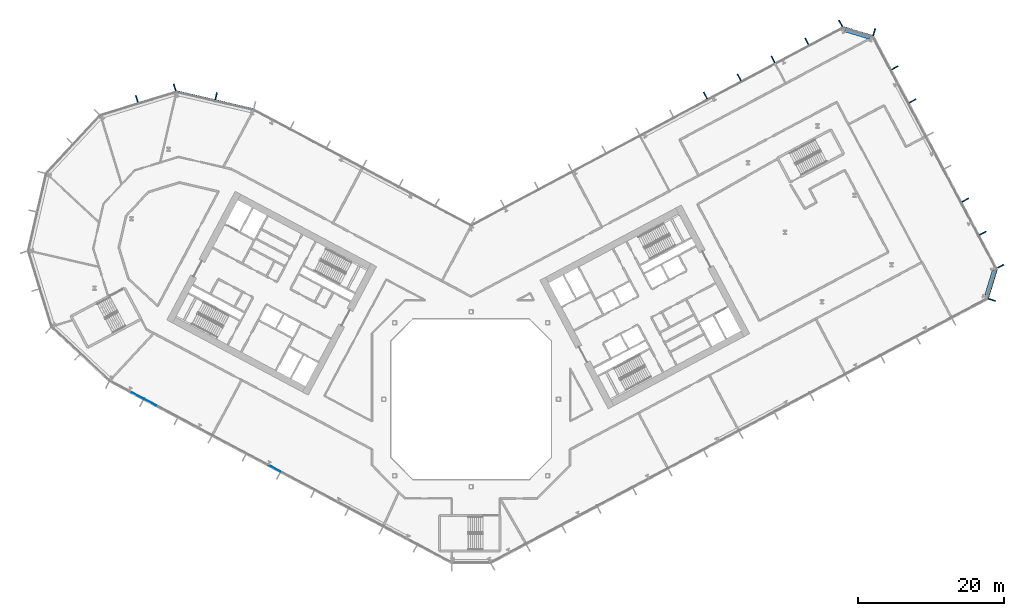
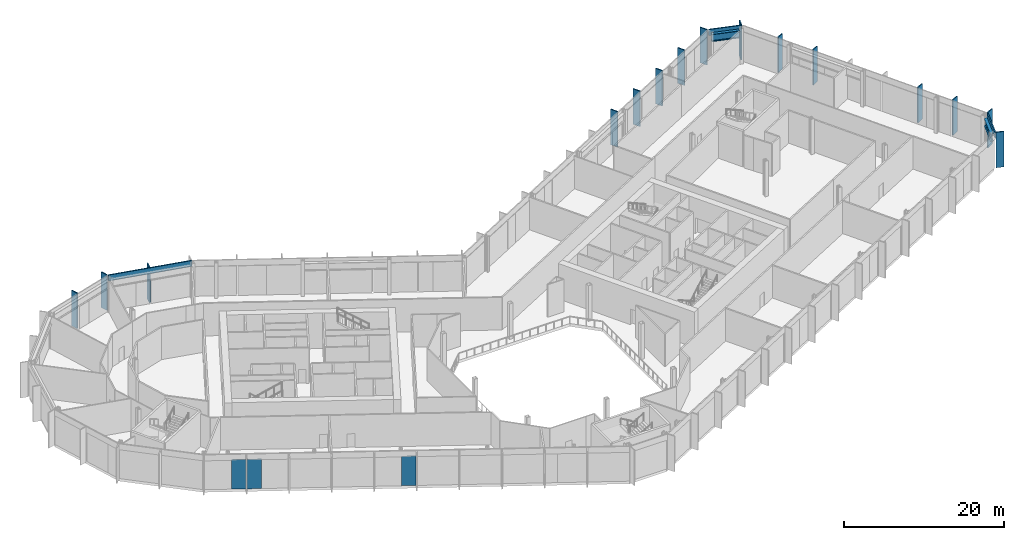
# One storey, part 8 of 30: 18 members, 3 plates, 2 beams, 7 elements without a shape of their own.
"""IFC4 building model written with IfcOpenShell, lengths in metres."""

from ifc_helpers import new_model, si_unit, direction, frame, origin, origin_2d, place, context, subcontext, project, spatial, rectangle, i_section, extrude, material, layer, layer_set, material_profile, profile_set, type_object, element, aggregate, save


model = new_model("IFC4")

# Units and contexts
model_context = context("Model", 3, precision=1e-05, world=origin(), true_north=direction((0.0, 1.0)))
body_context = subcontext(model_context, "Body", "Model", "MODEL_VIEW")
ifc_project = project(units=[si_unit("LENGTHUNIT", "METRE"), si_unit("AREAUNIT", "SQUARE_METRE"), si_unit("VOLUMEUNIT", "CUBIC_METRE"), si_unit("PLANEANGLEUNIT", "RADIAN"), si_unit("MASSUNIT", "GRAM", prefix="KILO")], contexts=[model_context])

# Site, building, storey
site_placement = place(None, origin())
site = spatial("IfcSite", under=ifc_project, at=site_placement, CompositionType="ELEMENT")
building_placement = place(site_placement, origin())
building = spatial("IfcBuilding", under=site, at=building_placement, Name="Cormorant Relay Tower", CompositionType="ELEMENT")
storey_placement = place(building_placement, frame((0.0, 0.0, 55.39990234375)))
storey = spatial("IfcBuildingStorey", under=building, at=storey_placement, Name="L10", CompositionType="ELEMENT", Elevation=55.39990234375)

# Curtain wall, member
ifc_material_1 = material(Name="Aluminium 6063-T6 anodised bronze", Category="aluminium")
ifc_layer_1 = layer(ifc_material_1, 0.235107421875)
ifc_layer_set_1 = layer_set([ifc_layer_1], Name="CW6 data hall curtain wall with mineral wool panels")
curtain_wall_type = type_object("IfcCurtainWallType", Name="CW6 data hall curtain wall with mineral wool panels", PredefinedType="NOTDEFINED", material=ifc_layer_set_1)
curtain_wall_1_placement = place(storey_placement, origin())
curtain_wall_1 = element("IfcCurtainWall", 1, at=curtain_wall_1_placement, inside=storey, type_object=curtain_wall_type, Name="CW6 curtain wall 3", PredefinedType="NOTDEFINED")
ifc_material_2 = material(Name="Aluminium 6063-T6 anodised bronze", Category="aluminium")
ifc_material_profile_1 = material_profile(ifc_material_2, rectangle(XDim=0.14990234375, YDim=1.0, at=origin_2d()), Name="AL 150x1000")
ifc_profile_set_1 = profile_set([ifc_material_profile_1], Name="Aluminium 6063-T6 anodised bronze")
member_type_1 = type_object("IfcMemberType", Name="CW6 bronze fin mullion 150 x 1000", PredefinedType="MULLION", material=ifc_profile_set_1)
member_1_placement = place(storey_placement, frame((71.485107421875, 13.63671875, 0.0), z_axis=(0.0, 0.0, 1.0), x_axis=(0.292371704723, 0.956304755963, 0.0)))
member_1 = element("IfcMember", 2, at=member_1_placement, type_object=member_type_1, Name="CW6 fin 3.1", PredefinedType="MULLION", context=body_context, shape_type="SweptSolid", body=[
    extrude(rectangle(XDim=0.14990234375, YDim=1.0, at=origin_2d()), origin(), (0.0, 0.0, 1.0), 5.400146484375),
])

# Curtain wall, members
curtain_wall_2_placement = place(storey_placement, origin())
curtain_wall_2 = element("IfcCurtainWall", 3, at=curtain_wall_2_placement, inside=storey, type_object=curtain_wall_type, Name="CW6 curtain wall 4", PredefinedType="NOTDEFINED")
member_2_placement = place(storey_placement, frame((72.671630859375, 18.25390625, 0.0), z_axis=(0.0, 0.0, 1.0), x_axis=(-0.469471562786, 0.882947592859, 0.0)))
member_2 = element("IfcMember", 4, at=member_2_placement, type_object=member_type_1, Name="CW6 fin 4.1", PredefinedType="MULLION", context=body_context, shape_type="SweptSolid", body=[
    extrude(rectangle(XDim=0.14990234375, YDim=1.0, at=origin_2d()), origin(), (0.0, 0.0, 1.0), 5.400146484375),
])
member_3_placement = place(storey_placement, frame((70.25732421875, 22.794921875, 0.0), z_axis=(0.0, 0.0, 1.0), x_axis=(-0.469471562786, 0.882947592859, 0.0)))
member_3 = element("IfcMember", 5, at=member_3_placement, type_object=member_type_1, Name="CW6 fin 4.2", PredefinedType="MULLION", context=body_context, shape_type="SweptSolid", body=[
    extrude(rectangle(XDim=0.14990234375, YDim=1.0, at=origin_2d()), origin(), (0.0, 0.0, 1.0), 5.400146484375),
])
member_4_placement = place(storey_placement, frame((67.8427734375, 27.335693359375, 0.0), z_axis=(0.0, 0.0, 1.0), x_axis=(-0.469471562786, 0.882947592859, 0.0)))
member_4 = element("IfcMember", 6, at=member_4_placement, type_object=member_type_1, Name="CW6 fin 4.3", PredefinedType="MULLION", context=body_context, shape_type="SweptSolid", body=[
    extrude(rectangle(XDim=0.14990234375, YDim=1.0, at=origin_2d()), origin(), (0.0, 0.0, 1.0), 5.400146484375),
])
member_5_placement = place(storey_placement, frame((60.599609375, 40.958251953125, 0.0), z_axis=(0.0, 0.0, 1.0), x_axis=(-0.469471562786, 0.882947592859, 0.0)))
member_5 = element("IfcMember", 7, at=member_5_placement, type_object=member_type_1, Name="CW6 fin 4.6", PredefinedType="MULLION", context=body_context, shape_type="SweptSolid", body=[
    extrude(rectangle(XDim=0.14990234375, YDim=1.0, at=origin_2d()), origin(), (0.0, 0.0, 1.0), 5.400146484375),
])
member_6_placement = place(storey_placement, frame((58.18505859375, 45.499267578125, 0.0), z_axis=(0.0, 0.0, 1.0), x_axis=(-0.469471562786, 0.882947592859, 0.0)))
member_6 = element("IfcMember", 8, at=member_6_placement, type_object=member_type_1, Name="CW6 fin 4.7", PredefinedType="MULLION", context=body_context, shape_type="SweptSolid", body=[
    extrude(rectangle(XDim=0.14990234375, YDim=1.0, at=origin_2d()), origin(), (0.0, 0.0, 1.0), 5.400146484375),
])
aggregate(curtain_wall_2, [member_2, member_3, member_4, member_5, member_6])

# Curtain wall, member
curtain_wall_3_placement = place(storey_placement, origin())
curtain_wall_3 = element("IfcCurtainWall", 9, at=curtain_wall_3_placement, inside=storey, type_object=curtain_wall_type, Name="CW6 curtain wall 5", PredefinedType="NOTDEFINED")
member_7_placement = place(storey_placement, frame((55.336669921875, 50.39794921875, 0.0), z_axis=(0.0, 0.0, 1.0), x_axis=(-0.956304755963, 0.292371704723, 0.0)))
member_7 = element("IfcMember", 10, at=member_7_placement, type_object=member_type_1, Name="CW6 fin 5.1", PredefinedType="MULLION", context=body_context, shape_type="SweptSolid", body=[
    extrude(rectangle(XDim=0.14990234375, YDim=1.0, at=origin_2d()), origin(), (0.0, 0.0, 1.0), 5.400146484375),
])

# Curtain wall, members
curtain_wall_4_placement = place(storey_placement, origin())
curtain_wall_4 = element("IfcCurtainWall", 11, at=curtain_wall_4_placement, inside=storey, type_object=curtain_wall_type, Name="CW6 curtain wall 6", PredefinedType="NOTDEFINED")
member_8_placement = place(storey_placement, frame((50.719482421875, 51.58447265625, 0.0), z_axis=(0.0, 0.0, 1.0), x_axis=(-0.882947592859, -0.469471562786, 0.0)))
member_8 = element("IfcMember", 12, at=member_8_placement, type_object=member_type_1, Name="CW6 fin 6.1", PredefinedType="MULLION", context=body_context, shape_type="SweptSolid", body=[
    extrude(rectangle(XDim=0.14990234375, YDim=1.0, at=origin_2d()), origin(), (0.0, 0.0, 1.0), 5.400146484375),
])
member_9_placement = place(storey_placement, frame((46.0771484375, 49.1162109375, 0.0), z_axis=(0.0, 0.0, 1.0), x_axis=(-0.882947592859, -0.469471562786, 0.0)))
member_9 = element("IfcMember", 13, at=member_9_placement, type_object=member_type_1, Name="CW6 fin 6.2", PredefinedType="MULLION", context=body_context, shape_type="SweptSolid", body=[
    extrude(rectangle(XDim=0.14990234375, YDim=1.0, at=origin_2d()), origin(), (0.0, 0.0, 1.0), 5.400146484375),
])
member_10_placement = place(storey_placement, frame((41.43505859375, 46.647705078125, 0.0), z_axis=(0.0, 0.0, 1.0), x_axis=(-0.882947592859, -0.469471562786, 0.0)))
member_10 = element("IfcMember", 14, at=member_10_placement, type_object=member_type_1, Name="CW6 fin 6.3", PredefinedType="MULLION", context=body_context, shape_type="SweptSolid", body=[
    extrude(rectangle(XDim=0.14990234375, YDim=1.0, at=origin_2d()), origin(), (0.0, 0.0, 1.0), 5.400146484375),
])
member_11_placement = place(storey_placement, frame((36.792724609375, 44.179443359375, 0.0), z_axis=(0.0, 0.0, 1.0), x_axis=(-0.882947592859, -0.469471562786, 0.0)))
member_11 = element("IfcMember", 15, at=member_11_placement, type_object=member_type_1, Name="CW6 fin 6.4", PredefinedType="MULLION", context=body_context, shape_type="SweptSolid", body=[
    extrude(rectangle(XDim=0.14990234375, YDim=1.0, at=origin_2d()), origin(), (0.0, 0.0, 1.0), 5.400146484375),
])
member_12_placement = place(storey_placement, frame((32.150390625, 41.711181640625, 0.0), z_axis=(0.0, 0.0, 1.0), x_axis=(-0.882947592859, -0.469471562786, 0.0)))
member_12 = element("IfcMember", 16, at=member_12_placement, type_object=member_type_1, Name="CW6 fin 6.5", PredefinedType="MULLION", context=body_context, shape_type="SweptSolid", body=[
    extrude(rectangle(XDim=0.14990234375, YDim=1.0, at=origin_2d()), origin(), (0.0, 0.0, 1.0), 5.400146484375),
])
aggregate(curtain_wall_4, [member_8, member_9, member_10, member_11, member_12])

# Curtain wall, member
curtain_wall_5_placement = place(storey_placement, origin())
curtain_wall_5 = element("IfcCurtainWall", 17, at=curtain_wall_5_placement, inside=storey, type_object=curtain_wall_type, Name="CW6 curtain wall 8", PredefinedType="NOTDEFINED")
member_13_placement = place(storey_placement, frame((-35.00439453125, 41.60693359375, 0.0), z_axis=(0.0, 0.0, 1.0), x_axis=(-0.974370064785, 0.224951054344, 0.0)))
member_13 = element("IfcMember", 18, at=member_13_placement, type_object=member_type_1, Name="CW6 fin 8.2", PredefinedType="MULLION", context=body_context, shape_type="SweptSolid", body=[
    extrude(rectangle(XDim=0.14990234375, YDim=1.0, at=origin_2d()), origin(), (0.0, 0.0, 1.0), 5.400146484375),
])

# Curtain wall, members
curtain_wall_6_placement = place(storey_placement, origin())
curtain_wall_6 = element("IfcCurtainWall", 19, at=curtain_wall_6_placement, inside=storey, type_object=curtain_wall_type, Name="CW6 curtain wall 9", PredefinedType="NOTDEFINED")
member_14_placement = place(storey_placement, frame((-40.680419921875, 42.81640625, 0.0), z_axis=(0.0, 0.0, 1.0), x_axis=(-0.956304755963, -0.292371704723, 0.0)))
member_14 = element("IfcMember", 20, at=member_14_placement, type_object=member_type_1, Name="CW6 fin 9.1", PredefinedType="MULLION", context=body_context, shape_type="SweptSolid", body=[
    extrude(rectangle(XDim=0.14990234375, YDim=1.0, at=origin_2d()), origin(), (0.0, 0.0, 1.0), 5.400146484375),
])
member_15_placement = place(storey_placement, frame((-45.878173828125, 41.227294921875, 0.0), z_axis=(0.0, 0.0, 1.0), x_axis=(-0.956304755963, -0.292371704723, 0.0)))
member_15 = element("IfcMember", 21, at=member_15_placement, type_object=member_type_1, Name="CW6 fin 9.2", PredefinedType="MULLION", context=body_context, shape_type="SweptSolid", body=[
    extrude(rectangle(XDim=0.14990234375, YDim=1.0, at=origin_2d()), origin(), (0.0, 0.0, 1.0), 5.400146484375),
])
aggregate(curtain_wall_6, [member_14, member_15])

# Member
ifc_material_3 = material(Name="Aluminium 6063-T6 anodised bronze", Category="aluminium")
ifc_material_profile_2 = material_profile(ifc_material_3, rectangle(XDim=0.159912109375, YDim=0.89990234375, at=origin_2d()), Name="AL 160x900")
ifc_profile_set_2 = profile_set([ifc_material_profile_2], Name="Aluminium 6063-T6 anodised bronze")
member_type_2 = type_object("IfcMemberType", Name="CW6 bronze transom 160 x 900", PredefinedType="USERDEFINED", material=ifc_profile_set_2)
member_16_placement = place(storey_placement, frame((70.930419921875, 13.806396484375, 4.9501953125), z_axis=(0.292391046905, 0.95629884225, 0.0), x_axis=(-0.95629884225, 0.292391046905, 0.0)))
member_16 = element("IfcMember", 22, at=member_16_placement, type_object=member_type_2, Name="CW6 transom 3", ObjectType="TRANSOM", PredefinedType="USERDEFINED", context=body_context, shape_type="SweptSolid", body=[
    extrude(rectangle(XDim=0.159912109375, YDim=0.89990234375, at=origin_2d()), origin(), (0.0, 0.0, 1.0), 4.242431640625),
])

aggregate(curtain_wall_1, [member_1, member_16])

member_17_placement = place(storey_placement, frame((55.1669921875, 49.84326171875, 4.9501953125), z_axis=(-0.95629884225, 0.292391046905, 0.0), x_axis=(-0.292391046905, -0.95629884225, 0.0)))
member_17 = element("IfcMember", 23, at=member_17_placement, type_object=member_type_2, Name="CW6 transom 5", ObjectType="TRANSOM", PredefinedType="USERDEFINED", context=body_context, shape_type="SweptSolid", body=[
    extrude(rectangle(XDim=0.159912109375, YDim=0.89990234375, at=origin_2d()), origin(), (0.0, 0.0, 1.0), 4.242431640625),
])

aggregate(curtain_wall_3, [member_7, member_17])

member_18_placement = place(storey_placement, frame((-29.8388671875, 39.819091796875, 4.9501953125), z_axis=(-0.974369993916, 0.22495136131, 0.0), x_axis=(-0.22495136131, -0.974369993916, 0.0)))
member_18 = element("IfcMember", 24, at=member_18_placement, type_object=member_type_2, Name="CW6 transom 8", ObjectType="TRANSOM", PredefinedType="USERDEFINED", context=body_context, shape_type="SweptSolid", body=[
    extrude(rectangle(XDim=0.159912109375, YDim=0.89990234375, at=origin_2d()), origin(), (0.0, 0.0, 1.0), 10.870361328125),
])

aggregate(curtain_wall_5, [member_13, member_18])

# Beams
ifc_material_4 = material(Name="Steel ASTM A992 (Fy 345 MPa)", Category="steel")
ifc_material_profile_3 = material_profile(ifc_material_4, i_section(OverallWidth=0.408935546875, OverallDepth=1.137939453125, WebThickness=0.031005859375, FlangeThickness=0.05517578125, FilletRadius=0.02001953125, at=origin_2d()), Name="W1100x607")
ifc_profile_set_3 = profile_set([ifc_material_profile_3], Name="Steel ASTM A992 (Fy 345 MPa)")
beam_type = type_object("IfcBeamType", Name="Spandrel W1100x607", PredefinedType="SPANDREL", material=ifc_profile_set_3)
beam_1_placement = place(storey_placement, frame((70.697998046875, 14.275390625, 4.381103515625), z_axis=(0.292400100269, 0.956296074112, 0.0), x_axis=(-0.956296074112, 0.292400100269, 0.0)))
element("IfcBeam", 25, at=beam_1_placement, inside=storey, type_object=beam_type, Name="Spandrel beam L10-003", PredefinedType="SPANDREL", context=body_context, shape_type="SweptSolid", body=[
    extrude(i_section(OverallWidth=0.408935546875, OverallDepth=1.137939453125, WebThickness=0.031005859375, FlangeThickness=0.05517578125, FilletRadius=0.02001953125, at=origin_2d()), origin(), (0.0, 0.0, 1.0), 3.552734375),
])
beam_2_placement = place(storey_placement, frame((54.697998046875, 49.61083984375, 4.381103515625), z_axis=(-0.956309414252, 0.292356467713, 0.0), x_axis=(-0.292356467713, -0.956309414252, 0.0)))
element("IfcBeam", 26, at=beam_2_placement, inside=storey, type_object=beam_type, Name="Spandrel beam L10-005", PredefinedType="SPANDREL", context=body_context, shape_type="SweptSolid", body=[
    extrude(i_section(OverallWidth=0.408935546875, OverallDepth=1.137939453125, WebThickness=0.031005859375, FlangeThickness=0.05517578125, FilletRadius=0.02001953125, at=origin_2d()), origin(), (0.0, 0.0, 1.0), 3.552490234375),
])

# Curtain wall, plates
curtain_wall_7_placement = place(storey_placement, origin())
curtain_wall_7 = element("IfcCurtainWall", 27, at=curtain_wall_7_placement, inside=storey, type_object=curtain_wall_type, Name="CW6 curtain wall 14", PredefinedType="NOTDEFINED")
ifc_material_5 = material(Name="Tinted triple-glazed laminated unit")
ifc_layer_2 = layer(ifc_material_5, 0.074951171875)
ifc_layer_set_2 = layer_set([ifc_layer_2], Name="CW6 triple-glazed vision unit 1800 module")
plate_type = type_object("IfcPlateType", Name="CW6 triple-glazed vision unit 1800 module", PredefinedType="CURTAIN_PANEL", material=ifc_layer_set_2)
plate_1_placement = place(storey_placement, frame((-45.77587890625, 0.512939453125, 0.0), z_axis=(0.0, 0.0, 1.0), x_axis=(0.882947592859, -0.469471562786, 0.0)))
plate_1 = element("IfcPlate", 28, at=plate_1_placement, type_object=plate_type, Name="CW6 panel V01", PredefinedType="CURTAIN_PANEL", context=body_context, shape_type="SweptSolid", body=[
    extrude(rectangle(XDim=1.800048828125, YDim=0.074951171875, at=origin_2d()), origin(), (0.0, 0.0, 1.0), 4.5),
])
plate_2_placement = place(storey_placement, frame((-44.053955078125, -0.402587890625, 0.0), z_axis=(0.0, 0.0, 1.0), x_axis=(0.882947592859, -0.469471562786, 0.0)))
plate_2 = element("IfcPlate", 29, at=plate_2_placement, type_object=plate_type, Name="CW6 panel V02", PredefinedType="CURTAIN_PANEL", context=body_context, shape_type="SweptSolid", body=[
    extrude(rectangle(XDim=1.800048828125, YDim=0.074951171875, at=origin_2d()), origin(), (0.0, 0.0, 1.0), 4.5),
])
plate_3_placement = place(storey_placement, frame((-26.998779296875, -9.470947265625, 0.0), z_axis=(0.0, 0.0, 1.0), x_axis=(0.882947592859, -0.469471562786, 0.0)))
plate_3 = element("IfcPlate", 30, at=plate_3_placement, type_object=plate_type, Name="CW6 panel V05", PredefinedType="CURTAIN_PANEL", context=body_context, shape_type="SweptSolid", body=[
    extrude(rectangle(XDim=1.800048828125, YDim=0.074951171875, at=origin_2d()), origin(), (0.0, 0.0, 1.0), 4.5),
])
aggregate(curtain_wall_7, [plate_1, plate_2, plate_3])

save(model, "model.ifc")
